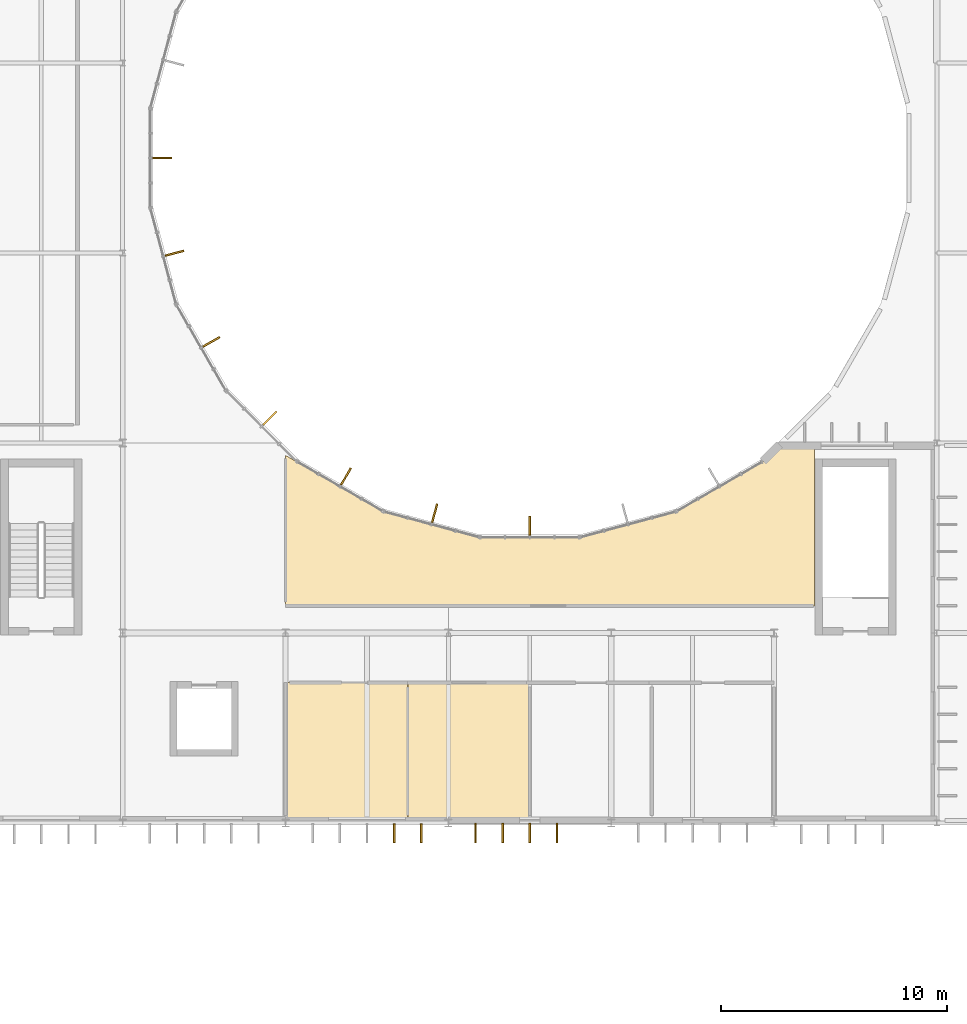
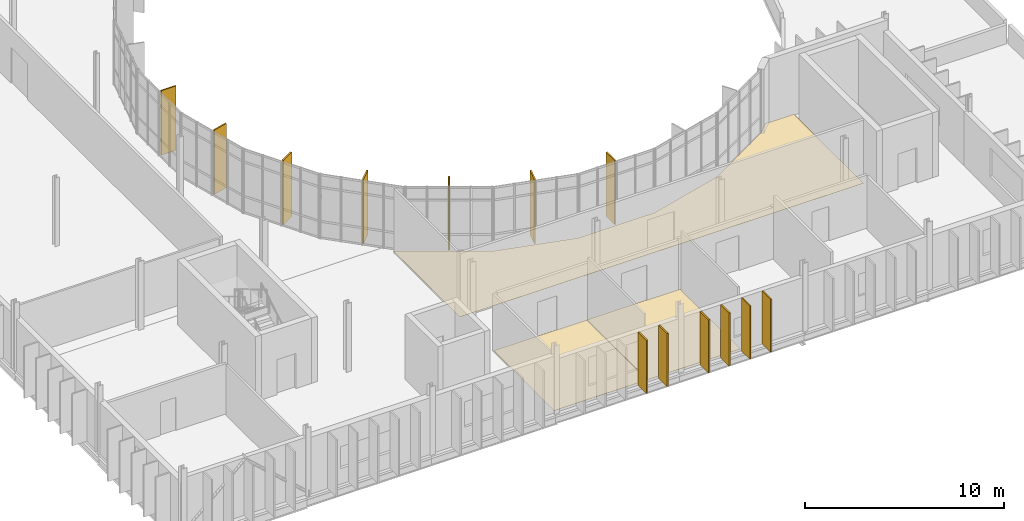
# One storey, part 53 of 61: 13 shading devices, 3 coverings.
"""IFC4 building model written with IfcOpenShell, lengths in metres."""

from ifc_helpers import new_model, si_unit, direction, frame, origin, origin_2d, place, context, subcontext, project, spatial, polyline, rectangle, outline, extrude, material, layer, layer_set, type_object, element, save


model = new_model("IFC4")

# Units and contexts
model_context = context("Model", 3, precision=1e-05, world=origin(), true_north=direction((0.0, 1.0)))
body_context = subcontext(model_context, "Body", "Model", "MODEL_VIEW")
ifc_project = project(units=[si_unit("LENGTHUNIT", "METRE"), si_unit("AREAUNIT", "SQUARE_METRE"), si_unit("VOLUMEUNIT", "CUBIC_METRE"), si_unit("PLANEANGLEUNIT", "RADIAN"), si_unit("MASSUNIT", "GRAM", prefix="KILO")], contexts=[model_context])

# Site, building, storey
site_placement = place(None, origin())
site = spatial("IfcSite", under=ifc_project, at=site_placement, CompositionType="ELEMENT")
building_placement = place(site_placement, origin())
building = spatial("IfcBuilding", under=site, at=building_placement, Name="Qelthora Terrace Specialist Clinic", CompositionType="ELEMENT")
storey_placement = place(building_placement, frame((0.0, 0.0, 13.199951171875)))
storey = spatial("IfcBuildingStorey", under=building, at=storey_placement, Name="L03", CompositionType="ELEMENT", Elevation=13.199951171875)

# Coverings
ifc_material_1 = material(Name="Antimicrobial clinical linoleum flooring", Category="other")
ifc_layer = layer(ifc_material_1, 0.011962890625)
ifc_layer_set = layer_set([ifc_layer], Name="Antimicrobial clinical linoleum flooring")
covering_type = type_object("IfcCoveringType", Name="COV-FLR-LINO-12", PredefinedType="FLOORING", material=ifc_layer_set)
covering_1_placement = place(storey_placement, origin())
element("IfcCovering", 1, at=covering_1_placement, inside=storey, type_object=covering_type, Name="Ophthalmology Perimetry Suite L03-31 resilient linoleum flooring", PredefinedType="FLOORING", context=body_context, shape_type="SweptSolid", body=[
    extrude(outline(polyline([(115.199951171875, 33.72998046875), (115.199951171875, 39.800048828125), (120.60009765625, 39.800048828125), (120.60009765625, 33.72998046875), (115.199951171875, 33.72998046875)])), origin(), (0.0, 0.0, 1.0), 0.011962890625),
])
covering_2_placement = place(storey_placement, origin())
element("IfcCovering", 2, at=covering_2_placement, inside=storey, type_object=covering_type, Name="OCT Retinal Imaging Room L03-32 resilient linoleum flooring", PredefinedType="FLOORING", context=body_context, shape_type="SweptSolid", body=[
    extrude(outline(polyline([(120.60498046875, 39.800048828125), (126.0, 39.800048828125), (126.0, 33.72998046875), (120.60498046875, 33.72998046875), (120.60498046875, 39.800048828125)])), origin(), (0.0, 0.0, 1.0), 0.011962890625),
])
covering_3_placement = place(storey_placement, origin())
element("IfcCovering", 3, at=covering_3_placement, inside=storey, type_object=covering_type, Name="Corneal Topography and Laser Diagnostics L03-35 resilient linoleum flooring", PredefinedType="FLOORING", context=body_context, shape_type="SweptSolid", body=[
    extrude(outline(polyline([(119.520751953125, 47.357666015625), (123.7900390625, 46.213623046875), (128.2099609375, 46.213623046875), (132.479248046875, 47.357666015625), (136.306884765625, 49.567626953125), (136.939453125, 50.199951171875), (138.590087890625, 50.199951171875), (138.590087890625, 43.199951171875), (115.199951171875, 43.199951171875), (115.199951171875, 49.852294921875), (119.520751953125, 47.357666015625)])), origin(), (0.0, 0.0, 1.0), 0.011962890625),
])

# Shading devices
ifc_material_2 = material(Name="Glulam timber GL28h", Category="wood")
shading_device_type = type_object("IfcShadingDeviceType", Name="SHD-FIN-850", PredefinedType="USERDEFINED", material=ifc_material_2)
for number, where, z_axis, x_axis, name in (
    (4, (109.73876953125, 63.0, 0.0), (0.0, 0.0, 1.0), (1.0, 0.0, 0.0), "Court solar fin FIN-0074"),
    (5, (110.292724609375, 58.791259765625, 0.0), (0.0, 0.0, 1.0), (0.965925826289, 0.258819045103, 0.0), "Court solar fin FIN-0075"),
    (6, (111.917236328125, 54.869384765625, 0.0), (0.0, 0.0, 1.0), (0.866025403784, 0.5, 0.0), "Court solar fin FIN-0076"),
    (7, (114.50146484375, 51.50146484375, 0.0), (0.0, 0.0, 1.0), (0.707106781187, 0.707106781187, 0.0), "Court solar fin FIN-0077"),
    (8, (117.869384765625, 48.917236328125, 0.0), (0.0, 0.0, 1.0), (0.5, 0.866025403784, 0.0), "Court solar fin FIN-0078"),
    (9, (121.791259765625, 47.292724609375, 0.0), (0.0, 0.0, 1.0), (0.258819045103, 0.965925826289, 0.0), "Court solar fin FIN-0079"),
    (10, (126.0, 46.73876953125, 0.0), (0.0, 0.0, 1.0), (0.0, 1.0, 0.0), "Court solar fin FIN-0080"),
):
    element("IfcShadingDevice", number, at=place(storey_placement, frame(where, z_axis=z_axis, x_axis=x_axis)), inside=storey, type_object=shading_device_type, Name=name, ObjectType="FIN", PredefinedType="USERDEFINED", context=body_context, shape_type="SweptSolid", body=[
        extrude(rectangle(XDim=0.85009765625, YDim=0.080078125, at=origin_2d()), origin(), (0.0, 0.0, 1.0), 3.945068359375),
    ])
for number, where, z_axis, x_axis, name in (
    (11, (120.0, 33.14501953125, 0.0), (0.0, 0.0, 1.0), (0.0, -1.0, 0.0), "Exterior solar shading fin FIN-1485"),
    (12, (121.199951171875, 33.14501953125, 0.0), (0.0, 0.0, 1.0), (0.0, -1.0, 0.0), "Exterior solar shading fin FIN-1486"),
    (13, (123.60009765625, 33.155029296875, 0.0), (0.0, 0.0, 1.0), (0.0, -1.0, 0.0), "Exterior solar shading fin FIN-1487"),
    (14, (124.800048828125, 33.155029296875, 0.0), (0.0, 0.0, 1.0), (0.0, -1.0, 0.0), "Exterior solar shading fin FIN-1488"),
    (15, (126.0, 33.155029296875, 0.0), (0.0, 0.0, 1.0), (0.0, -1.0, 0.0), "Exterior solar shading fin FIN-1489"),
    (16, (127.199951171875, 33.155029296875, 0.0), (0.0, 0.0, 1.0), (0.0, -1.0, 0.0), "Exterior solar shading fin FIN-1490"),
):
    element("IfcShadingDevice", number, at=place(storey_placement, frame(where, z_axis=z_axis, x_axis=x_axis)), inside=storey, type_object=shading_device_type, Name=name, ObjectType="FIN", PredefinedType="USERDEFINED", context=body_context, shape_type="SweptSolid", body=[
        extrude(rectangle(XDim=0.85009765625, YDim=0.080078125, at=origin_2d()), origin(), (0.0, 0.0, 1.0), 3.2490234375),
    ])

save(model, "model.ifc")
